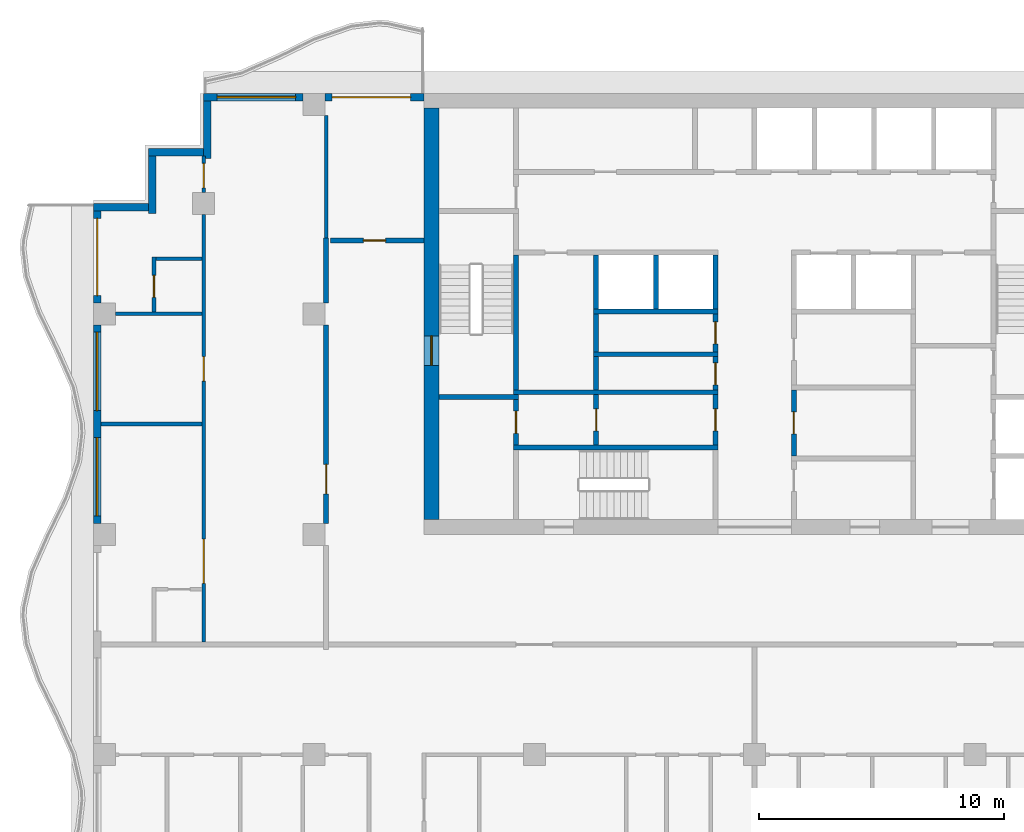
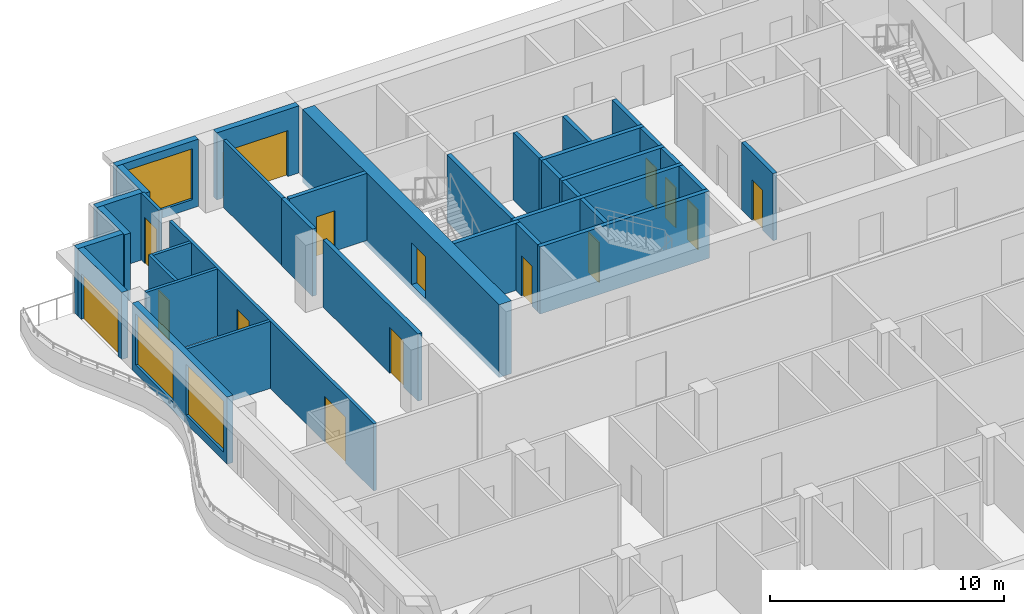
# One storey, part 5 of 11: 36 walls, 15 doors, 3 windows, 18 openings.
"""IFC4 building model written with IfcOpenShell, lengths in metres."""

import ifcopenshell
import ifcopenshell.guid

model = None  # the IFC model being written
_history = None  # IfcOwnerHistory: only IFC2X3 demands one
_inside = {}  # id of a spatial element -> (the spatial element, [elements in it])
_under = {}  # id of a project, library or spatial element -> (it, [spatial elements below it])
_declared = {}  # id of a project -> (the project, [libraries it declares])
_typed = {}  # id of a type object -> (the type object, [elements of that type])
_made_of = {}  # id of a material, layer set ... -> (it, [elements and type objects made of it])


def new_model(schema):
    """Start an empty IFC model of exactly this schema.

    Asked for "IFC4X3", IfcOpenShell would pick the latest addendum, in which some entities
    have other attributes; the version numbers below select the first issue.
    IFC2X3 requires an IfcOwnerHistory on every rooted entity: one is made here for all.
    """
    global model, _history
    if schema == "IFC4X3":
        model = ifcopenshell.file(schema_version=(4, 3, 0, 0))
    else:
        model = ifcopenshell.file(schema=schema)
    _inside.clear()
    _under.clear()
    _declared.clear()
    _typed.clear()
    _made_of.clear()
    _history = None
    if model.schema == "IFC2X3":
        org = make("IfcOrganization", Name="unknown")
        user = make(
            "IfcPersonAndOrganization",
            ThePerson=make("IfcPerson", FamilyName="unknown"),
            TheOrganization=org,
        )
        app = make(
            "IfcApplication",
            ApplicationDeveloper=org,
            Version="unknown",
            ApplicationFullName="unknown",
            ApplicationIdentifier="unknown",
        )
        _history = make(
            "IfcOwnerHistory",
            OwningUser=user,
            OwningApplication=app,
            ChangeAction="ADDED",
            CreationDate=0,
        )
    return model


def make(cls, **values):
    """One entity of the class cls with the attributes given. An attribute that is None is left unset."""
    return model.create_entity(
        cls, **{name: value for name, value in values.items() if value is not None}
    )


def rooted(cls, **values):
    """An entity with a GlobalId (a new one), such as an element, a storey or a relation."""
    return make(cls, GlobalId=ifcopenshell.guid.new(), OwnerHistory=_history, **values)


def si_unit(unit_type, name, prefix=None):
    """IfcSIUnit, for example si_unit("LENGTHUNIT", "METRE", prefix="MILLI")."""
    return make("IfcSIUnit", UnitType=unit_type, Prefix=prefix, Name=name)


def assignment(units):
    """IfcUnitAssignment: the units of a project."""
    return None if units is None else make("IfcUnitAssignment", Units=units)


def point(xyz):
    """IfcCartesianPoint."""
    return None if xyz is None else make("IfcCartesianPoint", Coordinates=xyz)


def direction(xyz):
    """IfcDirection."""
    return None if xyz is None else make("IfcDirection", DirectionRatios=xyz)


def frame(location, z_axis=None, x_axis=None):
    """IfcAxis2Placement3D, a coordinate frame: its origin and axes. An axis left out is left unset."""
    return make(
        "IfcAxis2Placement3D",
        Location=point(location),
        Axis=direction(z_axis),
        RefDirection=direction(x_axis),
    )


def frame_2d(location, x_axis=None):
    """IfcAxis2Placement2D, a coordinate frame in the plane: its origin and x axis."""
    return make(
        "IfcAxis2Placement2D", Location=point(location), RefDirection=direction(x_axis)
    )


def origin():
    """The frame at (0, 0, 0) with its axes left unset."""
    return frame((0.0, 0.0, 0.0))


def place(relative_to, where):
    """IfcLocalPlacement: puts the frame where relative to a parent placement (None: the world)."""
    return make(
        "IfcLocalPlacement", PlacementRelTo=relative_to, RelativePlacement=where
    )


def context(
    kind, dimensions, precision=None, world=None, true_north=None, identifier=None
):
    """IfcGeometricRepresentationContext, for example the 3D "Model" context."""
    return make(
        "IfcGeometricRepresentationContext",
        ContextIdentifier=identifier,
        ContextType=kind,
        CoordinateSpaceDimension=dimensions,
        Precision=precision,
        WorldCoordinateSystem=world,
        TrueNorth=true_north,
    )


def subcontext(parent, identifier, kind, view, scale=None):
    """IfcGeometricRepresentationSubContext, for example "Body" below "Model"."""
    return make(
        "IfcGeometricRepresentationSubContext",
        ContextIdentifier=identifier,
        ContextType=kind,
        ParentContext=parent,
        TargetScale=scale,
        TargetView=view,
    )


def project(units=None, contexts=None):
    """IfcProject with its units and contexts."""
    return rooted(
        "IfcProject",
        Name="project",
        RepresentationContexts=contexts,
        UnitsInContext=assignment(units),
    )


def spatial(cls, under=None, at=None, **own):
    """A site, building, storey or space (cls), placed at a placement, below another one or the project."""
    s = rooted(cls, ObjectPlacement=at, **own)
    if under is not None:
        _under.setdefault(under.id(), (under, []))[1].append(s)
    return s


def profile(cls, at=None, kind="AREA", **sizes):
    """A parametric profile (cls). Its sizes go by their IFC names, for example OverallWidth=200.0."""
    return make(cls, ProfileType=kind, Position=at, **sizes)


def rectangle(**sizes):
    """IfcRectangleProfileDef."""
    return profile("IfcRectangleProfileDef", **sizes)


def extrude(swept, where, along, depth):
    """IfcExtrudedAreaSolid: the profile swept, set in the frame where, extruded along a direction by depth."""
    return make(
        "IfcExtrudedAreaSolid",
        SweptArea=swept,
        Position=where,
        ExtrudedDirection=direction(along),
        Depth=depth,
    )


def shape(context_of_items, identifier, shape_type, items):
    """IfcShapeRepresentation: the items that make up one representation, for example the "Body"."""
    return make(
        "IfcShapeRepresentation",
        ContextOfItems=context_of_items,
        RepresentationIdentifier=identifier,
        RepresentationType=shape_type,
        Items=items,
    )


def material(Name=None, Category=None):
    """IfcMaterial."""
    return make("IfcMaterial", Name=Name, Category=Category)


def layer(
    of_material, thickness, ventilated=None, Name=None, Category=None, Priority=None
):
    """IfcMaterialLayer: one layer of a wall or slab, of a material (None: an air gap)."""
    return make(
        "IfcMaterialLayer",
        Material=of_material,
        LayerThickness=thickness,
        IsVentilated=ventilated,
        Name=Name,
        Category=Category,
        Priority=Priority,
    )


def layer_set(layers, Name=None):
    """IfcMaterialLayerSet."""
    return make("IfcMaterialLayerSet", MaterialLayers=layers, LayerSetName=Name)


def made_of(thing, what):
    """Note that an element or type object is made of a material, layer set ...; save() writes the relation."""
    if what is not None:
        _made_of.setdefault(what.id(), (what, []))[1].append(thing)
    return thing


def type_object(cls, material=None, **own):
    """A type object (cls), such as IfcWallType, which elements share."""
    return made_of(rooted(cls, **own), material)


def element(
    cls,
    number,
    at=None,
    inside=None,
    cuts=None,
    type_object=None,
    material=None,
    context=None,
    identifier="Body",
    shape_type=None,
    held_by="IfcProductDefinitionShape",
    body=None,
    shapes=None,
    **own,
):
    """One element of the class cls, such as IfcWall. Its Tag is "e" and its number.

    at: its placement. inside: the storey or other place that contains it. cuts: it is an
    opening in that element (IfcRelVoidsElement). A single representation is given by context,
    identifier, shape_type and body (its items); several are given by shapes. held_by: the class
    of the entity that holds the representations. save() writes the other relations.
    """
    e = rooted(cls, Tag="e%d" % number, ObjectPlacement=at, **own)
    if body is not None:
        shapes = [shape(context, identifier, shape_type, body)]
    if shapes is not None:
        e.Representation = make(held_by, Representations=shapes)
    if inside is not None:
        _inside.setdefault(inside.id(), (inside, []))[1].append(e)
    if cuts is not None:
        rooted(
            "IfcRelVoidsElement", RelatingBuildingElement=cuts, RelatedOpeningElement=e
        )
    if type_object is not None:
        _typed.setdefault(type_object.id(), (type_object, []))[1].append(e)
    return made_of(e, material)


def fill(opening, filler):
    """IfcRelFillsElement: the door or window that sits in an opening."""
    return rooted(
        "IfcRelFillsElement",
        RelatingOpeningElement=opening,
        RelatedBuildingElement=filler,
    )


def aggregate(whole, parts):
    """IfcRelAggregates: a whole, such as a stair, and the parts it consists of."""
    return rooted("IfcRelAggregates", RelatingObject=whole, RelatedObjects=parts)


def save(model, path):
    """Write the relations noted so far, then the file.

    IfcRelAggregates (storeys below a building ...), IfcRelContainedInSpatialStructure (elements
    in a storey), IfcRelDefinesByType, IfcRelAssociatesMaterial and IfcRelDeclares: one each for
    every whole, place, type object, material and project.
    """
    for whole, parts in _under.values():
        aggregate(whole, parts)
    for where, things in _inside.values():
        rooted(
            "IfcRelContainedInSpatialStructure",
            RelatedElements=things,
            RelatingStructure=where,
        )
    for kind, things in _typed.values():
        rooted("IfcRelDefinesByType", RelatedObjects=things, RelatingType=kind)
    for what, things in _made_of.values():
        rooted("IfcRelAssociatesMaterial", RelatedObjects=things, RelatingMaterial=what)
    for by, libraries in _declared.values():
        rooted("IfcRelDeclares", RelatingContext=by, RelatedDefinitions=libraries)
    model.write(path)


model = new_model("IFC4")

# Units and contexts
model_context = context("Model", 3, precision=1e-05, world=origin(), true_north=direction((0.0, 1.0)))
body_context = subcontext(model_context, "Body", "Model", "MODEL_VIEW")
ifc_project = project(units=[si_unit("LENGTHUNIT", "METRE"), si_unit("AREAUNIT", "SQUARE_METRE"), si_unit("VOLUMEUNIT", "CUBIC_METRE"), si_unit("PLANEANGLEUNIT", "RADIAN"), si_unit("MASSUNIT", "GRAM", prefix="KILO")], contexts=[model_context])

# Site, building, storey
site_placement = place(None, origin())
site = spatial("IfcSite", under=ifc_project, at=site_placement, CompositionType="ELEMENT")
building_placement = place(site_placement, origin())
building = spatial("IfcBuilding", under=site, at=building_placement, Name="Orbiselva Terraces", CompositionType="ELEMENT")
storey_placement = place(building_placement, frame((0.0, 0.0, 276.8)))
storey = spatial("IfcBuildingStorey", under=building, at=storey_placement, Name="L70", CompositionType="ELEMENT", Elevation=276.8)

# Wall, opening, door
ifc_material_1 = material(Name="Concrete C80/95", Category="concrete")
ifc_layer_1 = layer(ifc_material_1, 0.6)
ifc_layer_set_1 = layer_set([ifc_layer_1], Name="Concrete C80/95")
wall_type_1 = type_object("IfcWallType", Name="CORE WALL 600", PredefinedType="SHEAR", material=ifc_layer_set_1)
wall_1_placement = place(storey_placement, frame((-13.2, 21.9, -0.3), z_axis=(0.0, 0.0, 1.0), x_axis=(0.0, -1.0, 0.0)))
wall_1 = element("IfcWall", 1, at=wall_1_placement, inside=storey, type_object=wall_type_1, Name="Core wall L70 west", PredefinedType="SHEAR", context=body_context, shape_type="SweptSolid", body=[
    extrude(rectangle(XDim=16.8, YDim=0.6, at=frame_2d((8.4, 0.0))), origin(), (0.0, 0.0, 1.0), 3.8),
])
opening_1_placement = place(wall_1_placement, frame((9.3, 0.0, 0.3)))
opening_1 = element("IfcOpeningElement", 2, at=opening_1_placement, cuts=wall_1, Name="Opening DS1200", PredefinedType="OPENING", context=body_context, shape_type="SweptSolid", body=[
    extrude(rectangle(XDim=1.2, YDim=2.2, at=frame_2d((0.6, 1.1))), frame((0.0, 0.31, 0.0), z_axis=(0.0, -1.0, 0.0), x_axis=(1.0, 0.0, 0.0)), (0.0, 0.0, 1.0), 0.62),
])
ifc_material_2 = material(Name="Steel fire door", Category="steel")
door_type_1 = type_object("IfcDoorType", Name="STAIR DOOR 1200", OperationType="NOTDEFINED", PredefinedType="DOOR", material=ifc_material_2)
door_1_placement = place(opening_1_placement, frame((1.2, 0.0, 0.0), z_axis=(0.0, 0.0, 1.0), x_axis=(-1.0, 0.0, 0.0)))
door_1 = element("IfcDoor", 3, at=door_1_placement, inside=storey, type_object=door_type_1, Name="L70 EXIT STAIR S1 door", OperationType="SINGLE_SWING_RIGHT", OverallHeight=2.2, OverallWidth=1.2, PredefinedType="DOOR", context=body_context, shape_type="SweptSolid", body=[
    extrude(rectangle(XDim=1.2, YDim=2.2, at=frame_2d((0.6, 1.1))), frame((0.0, 0.025, 0.0), z_axis=(0.0, -1.0, 0.0), x_axis=(1.0, 0.0, 0.0)), (0.0, 0.0, 1.0), 0.05),
])
fill(opening_1, door_1)

ifc_material_3 = material(Name="Masonry blockwork", Category="masonry")
ifc_layer_2 = layer(ifc_material_3, 0.2)
ifc_layer_set_2 = layer_set([ifc_layer_2], Name="Masonry blockwork")
wall_type_2 = type_object("IfcWallType", Name="CORE-WALL-PARTITION-200", PredefinedType="PARTITIONING", material=ifc_layer_set_2)
wall_2_placement = place(storey_placement, frame((-9.75, 8.15, 0.0), z_axis=(0.0, 0.0, 1.0), x_axis=(0.0, 1.0, 0.0)))
wall_2 = element("IfcWall", 4, at=wall_2_placement, inside=storey, type_object=wall_type_2, Name="L70 core wall 05", PredefinedType="PARTITIONING", context=body_context, shape_type="SweptSolid", body=[
    extrude(rectangle(XDim=1.85, YDim=0.2, at=frame_2d((0.925, 0.0))), origin(), (0.0, 0.0, 1.0), 3.5),
])
opening_2_placement = place(wall_2_placement, frame((0.475, 0.0, 0.0)))
opening_2 = element("IfcOpeningElement", 5, at=opening_2_placement, cuts=wall_2, Name="Opening DR900", PredefinedType="OPENING", context=body_context, shape_type="SweptSolid", body=[
    extrude(rectangle(XDim=0.9, YDim=2.1, at=frame_2d((0.45, 1.05))), frame((0.0, 0.11, 0.0), z_axis=(0.0, -1.0, 0.0), x_axis=(1.0, 0.0, 0.0)), (0.0, 0.0, 1.0), 0.22),
])
door_type_2 = type_object("IfcDoorType", Name="ROOM DOOR 900", OperationType="NOTDEFINED", PredefinedType="DOOR", material=ifc_material_2)
door_2_placement = place(opening_2_placement, origin())
door_2 = element("IfcDoor", 6, at=door_2_placement, inside=storey, type_object=door_type_2, Name="L70 ACCESSIBLE WC door", OperationType="SINGLE_SWING_RIGHT", OverallHeight=2.1, OverallWidth=0.9, PredefinedType="DOOR", context=body_context, shape_type="SweptSolid", body=[
    extrude(rectangle(XDim=0.9, YDim=2.1, at=frame_2d((0.45, 1.05))), frame((0.0, 0.025, 0.0), z_axis=(0.0, -1.0, 0.0), x_axis=(1.0, 0.0, 0.0)), (0.0, 0.0, 1.0), 0.05),
])
fill(opening_2, door_2)

wall_3_placement = place(storey_placement, frame((-6.475, 8.15, 0.0), z_axis=(0.0, 0.0, 1.0), x_axis=(0.0, 1.0, 0.0)))
wall_3 = element("IfcWall", 7, at=wall_3_placement, inside=storey, type_object=wall_type_2, Name="L70 core wall 13", PredefinedType="PARTITIONING", context=body_context, shape_type="SweptSolid", body=[
    extrude(rectangle(XDim=2.05, YDim=0.2, at=frame_2d((1.025, 0.0))), origin(), (0.0, 0.0, 1.0), 3.5),
])
opening_3_placement = place(wall_3_placement, frame((0.575, 0.0, 0.0)))
opening_3 = element("IfcOpeningElement", 8, at=opening_3_placement, cuts=wall_3, Name="Opening DR900", PredefinedType="OPENING", context=body_context, shape_type="SweptSolid", body=[
    extrude(rectangle(XDim=0.9, YDim=2.1, at=frame_2d((0.45, 1.05))), frame((0.0, 0.11, 0.0), z_axis=(0.0, -1.0, 0.0), x_axis=(1.0, 0.0, 0.0)), (0.0, 0.0, 1.0), 0.22),
])
door_3_placement = place(opening_3_placement, origin())
door_3 = element("IfcDoor", 9, at=door_3_placement, inside=storey, type_object=door_type_2, Name="L70 CLEANERS STORE door", OperationType="SINGLE_SWING_RIGHT", OverallHeight=2.1, OverallWidth=0.9, PredefinedType="DOOR", context=body_context, shape_type="SweptSolid", body=[
    extrude(rectangle(XDim=0.9, YDim=2.1, at=frame_2d((0.45, 1.05))), frame((0.0, 0.025, 0.0), z_axis=(0.0, -1.0, 0.0), x_axis=(1.0, 0.0, 0.0)), (0.0, 0.0, 1.0), 0.05),
])
fill(opening_3, door_3)

# Walls
wall_4_placement = place(storey_placement, frame((-6.475, 10.4, 0.0), z_axis=(0.0, 0.0, 1.0), x_axis=(0.0, 1.0, 0.0)))
element("IfcWall", 10, at=wall_4_placement, inside=storey, type_object=wall_type_2, Name="L70 core wall 14", PredefinedType="PARTITIONING", context=body_context, shape_type="SweptSolid", body=[
    extrude(rectangle(XDim=1.35, YDim=0.2, at=frame_2d((0.675, 0.0))), origin(), (0.0, 0.0, 1.0), 3.5),
])
wall_5_placement = place(storey_placement, frame((-6.475, 11.95, 0.0), z_axis=(0.0, 0.0, 1.0), x_axis=(0.0, 1.0, 0.0)))
element("IfcWall", 11, at=wall_5_placement, inside=storey, type_object=wall_type_2, Name="L70 core wall 16", PredefinedType="PARTITIONING", context=body_context, shape_type="SweptSolid", body=[
    extrude(rectangle(XDim=1.55, YDim=0.2, at=frame_2d((0.775, 0.0))), origin(), (0.0, 0.0, 1.0), 3.5),
])

# Wall, opening, door
wall_6_placement = place(storey_placement, frame((-1.6, 8.15, 0.0), z_axis=(0.0, 0.0, 1.0), x_axis=(0.0, 1.0, 0.0)))
wall_6 = element("IfcWall", 12, at=wall_6_placement, inside=storey, type_object=wall_type_2, Name="L70 core wall 22", PredefinedType="PARTITIONING", context=body_context, shape_type="SweptSolid", body=[
    extrude(rectangle(XDim=2.05, YDim=0.2, at=frame_2d((1.025, 0.0))), origin(), (0.0, 0.0, 1.0), 3.5),
])
opening_4_placement = place(wall_6_placement, frame((0.575, 0.0, 0.0)))
opening_4 = element("IfcOpeningElement", 13, at=opening_4_placement, cuts=wall_6, Name="Opening DR900", PredefinedType="OPENING", context=body_context, shape_type="SweptSolid", body=[
    extrude(rectangle(XDim=0.9, YDim=2.1, at=frame_2d((0.45, 1.05))), frame((0.0, 0.11, 0.0), z_axis=(0.0, -1.0, 0.0), x_axis=(1.0, 0.0, 0.0)), (0.0, 0.0, 1.0), 0.22),
])
door_4_placement = place(opening_4_placement, origin())
door_4 = element("IfcDoor", 14, at=door_4_placement, inside=storey, type_object=door_type_2, Name="L70 COMMS ROOM door", OperationType="SINGLE_SWING_RIGHT", OverallHeight=2.1, OverallWidth=0.9, PredefinedType="DOOR", context=body_context, shape_type="SweptSolid", body=[
    extrude(rectangle(XDim=0.9, YDim=2.1, at=frame_2d((0.45, 1.05))), frame((0.0, 0.025, 0.0), z_axis=(0.0, -1.0, 0.0), x_axis=(1.0, 0.0, 0.0)), (0.0, 0.0, 1.0), 0.05),
])
fill(opening_4, door_4)

wall_7_placement = place(storey_placement, frame((-1.6, 10.4, 0.0), z_axis=(0.0, 0.0, 1.0), x_axis=(0.0, 1.0, 0.0)))
wall_7 = element("IfcWall", 15, at=wall_7_placement, inside=storey, type_object=wall_type_2, Name="L70 core wall 23", PredefinedType="PARTITIONING", context=body_context, shape_type="SweptSolid", body=[
    extrude(rectangle(XDim=1.35, YDim=0.2, at=frame_2d((0.675, 0.0))), origin(), (0.0, 0.0, 1.0), 3.5),
])
opening_5_placement = place(wall_7_placement, frame((0.2, 0.0, 0.0)))
opening_5 = element("IfcOpeningElement", 16, at=opening_5_placement, cuts=wall_7, Name="Opening DR900", PredefinedType="OPENING", context=body_context, shape_type="SweptSolid", body=[
    extrude(rectangle(XDim=0.9, YDim=2.1, at=frame_2d((0.45, 1.05))), frame((0.0, 0.11, 0.0), z_axis=(0.0, -1.0, 0.0), x_axis=(1.0, 0.0, 0.0)), (0.0, 0.0, 1.0), 0.22),
])
door_5_placement = place(opening_5_placement, origin())
door_5 = element("IfcDoor", 17, at=door_5_placement, inside=storey, type_object=door_type_2, Name="L70 BUILDING STORE door", OperationType="SINGLE_SWING_LEFT", OverallHeight=2.1, OverallWidth=0.9, PredefinedType="DOOR", context=body_context, shape_type="SweptSolid", body=[
    extrude(rectangle(XDim=0.9, YDim=2.1, at=frame_2d((0.45, 1.05))), frame((0.0, 0.025, 0.0), z_axis=(0.0, -1.0, 0.0), x_axis=(1.0, 0.0, 0.0)), (0.0, 0.0, 1.0), 0.05),
])
fill(opening_5, door_5)

wall_8_placement = place(storey_placement, frame((-1.6, 11.95, 0.0), z_axis=(0.0, 0.0, 1.0), x_axis=(0.0, 1.0, 0.0)))
wall_8 = element("IfcWall", 18, at=wall_8_placement, inside=storey, type_object=wall_type_2, Name="L70 core wall 24", PredefinedType="PARTITIONING", context=body_context, shape_type="SweptSolid", body=[
    extrude(rectangle(XDim=1.55, YDim=0.2, at=frame_2d((0.775, 0.0))), origin(), (0.0, 0.0, 1.0), 3.5),
])
opening_6_placement = place(wall_8_placement, frame((0.325, 0.0, 0.0)))
opening_6 = element("IfcOpeningElement", 19, at=opening_6_placement, cuts=wall_8, Name="Opening DR900", PredefinedType="OPENING", context=body_context, shape_type="SweptSolid", body=[
    extrude(rectangle(XDim=0.9, YDim=2.1, at=frame_2d((0.45, 1.05))), frame((0.0, 0.11, 0.0), z_axis=(0.0, -1.0, 0.0), x_axis=(1.0, 0.0, 0.0)), (0.0, 0.0, 1.0), 0.22),
])
door_6_placement = place(opening_6_placement, origin())
door_6 = element("IfcDoor", 20, at=door_6_placement, inside=storey, type_object=door_type_2, Name="L70 LINEN STORE door", OperationType="SINGLE_SWING_LEFT", OverallHeight=2.1, OverallWidth=0.9, PredefinedType="DOOR", context=body_context, shape_type="SweptSolid", body=[
    extrude(rectangle(XDim=0.9, YDim=2.1, at=frame_2d((0.45, 1.05))), frame((0.0, 0.025, 0.0), z_axis=(0.0, -1.0, 0.0), x_axis=(1.0, 0.0, 0.0)), (0.0, 0.0, 1.0), 0.05),
])
fill(opening_6, door_6)

wall_9_placement = place(storey_placement, frame((1.6, 10.4, 0.0), z_axis=(0.0, 0.0, 1.0), x_axis=(0.0, -1.0, 0.0)))
wall_9 = element("IfcWall", 21, at=wall_9_placement, inside=storey, type_object=wall_type_2, Name="L70 core wall 29", PredefinedType="PARTITIONING", context=body_context, shape_type="SweptSolid", body=[
    extrude(rectangle(XDim=2.7, YDim=0.2, at=frame_2d((1.35, 0.0))), origin(), (0.0, 0.0, 1.0), 3.5),
])
opening_7_placement = place(wall_9_placement, frame((0.9, 0.0, 0.0)))
opening_7 = element("IfcOpeningElement", 22, at=opening_7_placement, cuts=wall_9, Name="Opening DR900", PredefinedType="OPENING", context=body_context, shape_type="SweptSolid", body=[
    extrude(rectangle(XDim=0.9, YDim=2.1, at=frame_2d((0.45, 1.05))), frame((0.0, 0.11, 0.0), z_axis=(0.0, -1.0, 0.0), x_axis=(1.0, 0.0, 0.0)), (0.0, 0.0, 1.0), 0.22),
])
door_7_placement = place(opening_7_placement, origin())
door_7 = element("IfcDoor", 23, at=door_7_placement, inside=storey, type_object=door_type_2, Name="L70 SERVICE PANTRY door", OperationType="SINGLE_SWING_LEFT", OverallHeight=2.1, OverallWidth=0.9, PredefinedType="DOOR", context=body_context, shape_type="SweptSolid", body=[
    extrude(rectangle(XDim=0.9, YDim=2.1, at=frame_2d((0.45, 1.05))), frame((0.0, 0.025, 0.0), z_axis=(0.0, -1.0, 0.0), x_axis=(1.0, 0.0, 0.0)), (0.0, 0.0, 1.0), 0.05),
])
fill(opening_7, door_7)

# Walls
ifc_material_4 = material(Name="Concrete C40/50", Category="concrete")
ifc_layer_3 = layer(ifc_material_4, 0.2)
ifc_layer_set_3 = layer_set([ifc_layer_3], Name="Concrete C40/50")
wall_type_3 = type_object("IfcWallType", Name="CORE-WALL-SHAFT-200", PredefinedType="PARTITIONING", material=ifc_layer_set_3)
for number, where, z_axis, x_axis, name in (
    (24, (-6.475, 13.7, 0.0), (0.0, 0.0, 1.0), (0.0, 1.0, 0.0), "L70 core wall 18"),
    (25, (-4.0375, 13.7, 0.0), (0.0, 0.0, 1.0), (0.0, 1.0, 0.0), "L70 core wall 19"),
    (26, (-1.6, 13.7, 0.0), (0.0, 0.0, 1.0), (0.0, 1.0, 0.0), "L70 core wall 25"),
):
    element("IfcWall", number, at=place(storey_placement, frame(where, z_axis=z_axis, x_axis=x_axis)), inside=storey, type_object=wall_type_3, Name=name, PredefinedType="PARTITIONING", context=body_context, shape_type="SweptSolid", body=[
        extrude(rectangle(XDim=2.2, YDim=0.2, at=frame_2d((1.1, 0.0))), origin(), (0.0, 0.0, 1.0), 3.5),
    ])
ifc_material_5 = material(Name="Concrete C60/75", Category="concrete")
ifc_layer_4 = layer(ifc_material_5, 0.2)
ifc_layer_set_4 = layer_set([ifc_layer_4], Name="Concrete C60/75")
wall_type_4 = type_object("IfcWallType", Name="CORE-WALL-SHEAR-200", PredefinedType="SHEAR", material=ifc_layer_set_4)
wall_10_placement = place(storey_placement, frame((-12.9, 10.1, 0.0), z_axis=(0.0, 0.0, 1.0), x_axis=(1.0, 0.0, 0.0)))
element("IfcWall", 27, at=wall_10_placement, inside=storey, type_object=wall_type_4, Name="L70 core wall 01", PredefinedType="SHEAR", context=body_context, shape_type="SweptSolid", body=[
    extrude(rectangle(XDim=3.25, YDim=0.2, at=frame_2d((1.625, 0.0))), origin(), (0.0, 0.0, 1.0), 3.5),
])
for number, where, z_axis, x_axis, name in (
    (28, (-9.85, 8.05, 0.0), (0.0, 0.0, 1.0), (1.0, 0.0, 0.0), "L70 core wall 04"),
    (29, (-9.85, 10.3, 0.0), (0.0, 0.0, 1.0), (1.0, 0.0, 0.0), "L70 core wall 06"),
):
    element("IfcWall", number, at=place(storey_placement, frame(where, z_axis=z_axis, x_axis=x_axis)), inside=storey, type_object=wall_type_4, Name=name, PredefinedType="SHEAR", context=body_context, shape_type="SweptSolid", body=[
        extrude(rectangle(XDim=8.35, YDim=0.2, at=frame_2d((4.175, 0.0))), origin(), (0.0, 0.0, 1.0), 3.5),
    ])
wall_11_placement = place(storey_placement, frame((-9.75, 10.4, 0.0), z_axis=(0.0, 0.0, 1.0), x_axis=(0.0, 1.0, 0.0)))
element("IfcWall", 30, at=wall_11_placement, inside=storey, type_object=wall_type_4, Name="L70 core wall 07", PredefinedType="SHEAR", context=body_context, shape_type="SweptSolid", body=[
    extrude(rectangle(XDim=5.5, YDim=0.2, at=frame_2d((2.75, 0.0))), origin(), (0.0, 0.0, 1.0), 3.5),
])
for number, where, z_axis, x_axis, name in (
    (31, (-6.575, 11.85, 0.0), (0.0, 0.0, 1.0), (1.0, 0.0, 0.0), "L70 core wall 15"),
    (32, (-6.575, 13.6, 0.0), (0.0, 0.0, 1.0), (1.0, 0.0, 0.0), "L70 core wall 17"),
):
    element("IfcWall", number, at=place(storey_placement, frame(where, z_axis=z_axis, x_axis=x_axis)), inside=storey, type_object=wall_type_4, Name=name, PredefinedType="SHEAR", context=body_context, shape_type="SweptSolid", body=[
        extrude(rectangle(XDim=5.075, YDim=0.2, at=frame_2d((2.5375, 0.0))), origin(), (0.0, 0.0, 1.0), 3.5),
    ])

# Wall, opening, door
ifc_material_6 = material(Name="Terracotta cladding on masonry backing", Category="masonry")
ifc_layer_5 = layer(ifc_material_6, 0.3)
ifc_layer_set_5 = layer_set([ifc_layer_5], Name="Terracotta cladding on masonry backing")
wall_type_5 = type_object("IfcWallType", Name="ENV-WALL-TERRACOTTA-300", PredefinedType="SOLIDWALL", material=ifc_layer_set_5)
wall_12_placement = place(storey_placement, frame((-17.55, 22.35, 0.0), z_axis=(0.0, 0.0, 1.0), x_axis=(1.0, 0.0, 0.0)))
wall_12 = element("IfcWall", 33, at=wall_12_placement, inside=storey, type_object=wall_type_5, Name="Facade wall L70 NW", PredefinedType="SOLIDWALL", context=body_context, shape_type="SweptSolid", body=[
    extrude(rectangle(XDim=4.05, YDim=0.3, at=frame_2d((2.025, 0.0))), origin(), (0.0, 0.0, 1.0), 3.5),
])
opening_8_placement = place(wall_12_placement, frame((0.3, 0.0, 0.0)))
opening_8 = element("IfcOpeningElement", 34, at=opening_8_placement, cuts=wall_12, Name="Opening Z5-D-E08", PredefinedType="OPENING", context=body_context, shape_type="SweptSolid", body=[
    extrude(rectangle(XDim=3.2, YDim=2.4, at=frame_2d((1.6, 1.2))), frame((0.0, 0.16, 0.0), z_axis=(0.0, -1.0, 0.0), x_axis=(1.0, 0.0, 0.0)), (0.0, 0.0, 1.0), 0.32),
])
ifc_material_7 = material(Name="Clear low-e glazing in aluminium frame", Category="aluminium")
door_type_3 = type_object("IfcDoorType", Name="BALCONY DOOR 3200 X 2400", OperationType="DOUBLE_DOOR_SLIDING", PredefinedType="DOOR", material=ifc_material_7)
door_8_placement = place(opening_8_placement, origin())
door_8 = element("IfcDoor", 35, at=door_8_placement, inside=storey, type_object=door_type_3, Name="Z5-D-E08", OperationType="SINGLE_SWING_LEFT", OverallHeight=2.4, OverallWidth=3.2, PredefinedType="DOOR", context=body_context, shape_type="SweptSolid", body=[
    extrude(rectangle(XDim=3.2, YDim=2.4, at=frame_2d((1.6, 1.2))), frame((0.0, 0.025, 0.0), z_axis=(0.0, -1.0, 0.0), x_axis=(1.0, 0.0, 0.0)), (0.0, 0.0, 1.0), 0.05),
])
fill(opening_8, door_8)

# Wall, opening, window
wall_13_placement = place(storey_placement, frame((-22.5, 22.35, 0.0), z_axis=(0.0, 0.0, 1.0), x_axis=(1.0, 0.0, 0.0)))
wall_13 = element("IfcWall", 36, at=wall_13_placement, inside=storey, type_object=wall_type_5, Name="Facade wall L70 NW", PredefinedType="SOLIDWALL", context=body_context, shape_type="SweptSolid", body=[
    extrude(rectangle(XDim=4.05, YDim=0.3, at=frame_2d((2.025, 0.0))), origin(), (0.0, 0.0, 1.0), 3.5),
])
opening_9_placement = place(wall_13_placement, frame((0.55, 0.0, 0.45)))
opening_9 = element("IfcOpeningElement", 37, at=opening_9_placement, cuts=wall_13, Name="Opening WN17", PredefinedType="OPENING", context=body_context, shape_type="SweptSolid", body=[
    extrude(rectangle(XDim=3.2, YDim=2.65, at=frame_2d((1.6, 1.325))), frame((0.0, 0.16, 0.0), z_axis=(0.0, -1.0, 0.0), x_axis=(1.0, 0.0, 0.0)), (0.0, 0.0, 1.0), 0.32),
])
window_type = type_object("IfcWindowType", Name="WINDOW 3200 X 2650 S450", PartitioningType="TRIPLE_PANEL_VERTICAL", PredefinedType="WINDOW", material=ifc_material_7)
window_1_placement = place(opening_9_placement, origin())
window_1 = element("IfcWindow", 38, at=window_1_placement, inside=storey, type_object=window_type, Name="Window L70 NW", OverallHeight=2.65, OverallWidth=3.2, PartitioningType="SINGLE_PANEL", PredefinedType="WINDOW", context=body_context, shape_type="SweptSolid", body=[
    extrude(rectangle(XDim=3.2, YDim=2.65, at=frame_2d((1.6, 1.325))), frame((0.0, 0.03, 0.0), z_axis=(0.0, -1.0, 0.0), x_axis=(1.0, 0.0, 0.0)), (0.0, 0.0, 1.0), 0.06),
])
fill(opening_9, window_1)

# Walls
wall_14_placement = place(storey_placement, frame((-22.35, 19.85, 0.0), z_axis=(0.0, 0.0, 1.0), x_axis=(0.0, 1.0, 0.0)))
element("IfcWall", 39, at=wall_14_placement, inside=storey, type_object=wall_type_5, Name="Facade wall L70 STEP", PredefinedType="SOLIDWALL", context=body_context, shape_type="SweptSolid", body=[
    extrude(rectangle(XDim=2.35, YDim=0.3, at=frame_2d((1.175, 0.0))), origin(), (0.0, 0.0, 1.0), 3.5),
])
wall_15_placement = place(storey_placement, frame((-24.75, 20.1, 0.0), z_axis=(0.0, 0.0, 1.0), x_axis=(1.0, 0.0, 0.0)))
element("IfcWall", 40, at=wall_15_placement, inside=storey, type_object=wall_type_5, Name="Facade wall L70 STEP", PredefinedType="SOLIDWALL", context=body_context, shape_type="SweptSolid", body=[
    extrude(rectangle(XDim=2.25, YDim=0.3, at=frame_2d((1.125, 0.0))), origin(), (0.0, 0.0, 1.0), 3.5),
])
wall_16_placement = place(storey_placement, frame((-24.6, 17.6, 0.0), z_axis=(0.0, 0.0, 1.0), x_axis=(0.0, 1.0, 0.0)))
element("IfcWall", 41, at=wall_16_placement, inside=storey, type_object=wall_type_5, Name="Facade wall L70 STEP", PredefinedType="SOLIDWALL", context=body_context, shape_type="SweptSolid", body=[
    extrude(rectangle(XDim=2.35, YDim=0.3, at=frame_2d((1.175, 0.0))), origin(), (0.0, 0.0, 1.0), 3.5),
])
wall_17_placement = place(storey_placement, frame((-27.0, 17.85, 0.0), z_axis=(0.0, 0.0, 1.0), x_axis=(1.0, 0.0, 0.0)))
element("IfcWall", 42, at=wall_17_placement, inside=storey, type_object=wall_type_5, Name="Facade wall L70 STEP", PredefinedType="SOLIDWALL", context=body_context, shape_type="SweptSolid", body=[
    extrude(rectangle(XDim=2.25, YDim=0.3, at=frame_2d((1.125, 0.0))), origin(), (0.0, 0.0, 1.0), 3.5),
])

# Wall, opening, door
wall_18_placement = place(storey_placement, frame((-26.85, 13.95, 0.0), z_axis=(0.0, 0.0, 1.0), x_axis=(0.0, 1.0, 0.0)))
wall_18 = element("IfcWall", 43, at=wall_18_placement, inside=storey, type_object=wall_type_5, Name="Facade wall L70 W", PredefinedType="SOLIDWALL", context=body_context, shape_type="SweptSolid", body=[
    extrude(rectangle(XDim=3.75, YDim=0.3, at=frame_2d((1.875, 0.0))), origin(), (0.0, 0.0, 1.0), 3.5),
])
opening_10_placement = place(wall_18_placement, frame((0.3, 0.0, 0.0)))
opening_10 = element("IfcOpeningElement", 44, at=opening_10_placement, cuts=wall_18, Name="Opening Z5-D-E09", PredefinedType="OPENING", context=body_context, shape_type="SweptSolid", body=[
    extrude(rectangle(XDim=3.15, YDim=2.4, at=frame_2d((1.575, 1.2))), frame((0.0, 0.16, 0.0), z_axis=(0.0, -1.0, 0.0), x_axis=(1.0, 0.0, 0.0)), (0.0, 0.0, 1.0), 0.32),
])
door_type_4 = type_object("IfcDoorType", Name="BALCONY DOOR 3150 X 2400", OperationType="DOUBLE_DOOR_SLIDING", PredefinedType="DOOR", material=ifc_material_7)
door_9_placement = place(opening_10_placement, origin())
door_9 = element("IfcDoor", 45, at=door_9_placement, inside=storey, type_object=door_type_4, Name="Z5-D-E09", OperationType="SINGLE_SWING_LEFT", OverallHeight=2.4, OverallWidth=3.15, PredefinedType="DOOR", context=body_context, shape_type="SweptSolid", body=[
    extrude(rectangle(XDim=3.15, YDim=2.4, at=frame_2d((1.575, 1.2))), frame((0.0, 0.025, 0.0), z_axis=(0.0, -1.0, 0.0), x_axis=(1.0, 0.0, 0.0)), (0.0, 0.0, 1.0), 0.05),
])
fill(opening_10, door_9)

# Wall, openings, windows
wall_19_placement = place(storey_placement, frame((-26.85, 4.95, 0.0), z_axis=(0.0, 0.0, 1.0), x_axis=(0.0, 1.0, 0.0)))
wall_19 = element("IfcWall", 46, at=wall_19_placement, inside=storey, type_object=wall_type_5, Name="Facade wall L70 W", PredefinedType="SOLIDWALL", context=body_context, shape_type="SweptSolid", body=[
    extrude(rectangle(XDim=8.1, YDim=0.3, at=frame_2d((4.05, 0.0))), origin(), (0.0, 0.0, 1.0), 3.5),
])
opening_11_placement = place(wall_19_placement, frame((4.6, 0.0, 0.45)))
opening_11 = element("IfcOpeningElement", 47, at=opening_11_placement, cuts=wall_19, Name="Opening WN17", PredefinedType="OPENING", context=body_context, shape_type="SweptSolid", body=[
    extrude(rectangle(XDim=3.2, YDim=2.65, at=frame_2d((1.6, 1.325))), frame((0.0, 0.16, 0.0), z_axis=(0.0, -1.0, 0.0), x_axis=(1.0, 0.0, 0.0)), (0.0, 0.0, 1.0), 0.32),
])
opening_12_placement = place(wall_19_placement, frame((0.3, 0.0, 0.45)))
opening_12 = element("IfcOpeningElement", 48, at=opening_12_placement, cuts=wall_19, Name="Opening WN17", PredefinedType="OPENING", context=body_context, shape_type="SweptSolid", body=[
    extrude(rectangle(XDim=3.2, YDim=2.65, at=frame_2d((1.6, 1.325))), frame((0.0, 0.16, 0.0), z_axis=(0.0, -1.0, 0.0), x_axis=(1.0, 0.0, 0.0)), (0.0, 0.0, 1.0), 0.32),
])
window_2_placement = place(opening_11_placement, origin())
window_2 = element("IfcWindow", 49, at=window_2_placement, inside=storey, type_object=window_type, Name="Window L70 W", OverallHeight=2.65, OverallWidth=3.2, PartitioningType="SINGLE_PANEL", PredefinedType="WINDOW", context=body_context, shape_type="SweptSolid", body=[
    extrude(rectangle(XDim=3.2, YDim=2.65, at=frame_2d((1.6, 1.325))), frame((0.0, 0.03, 0.0), z_axis=(0.0, -1.0, 0.0), x_axis=(1.0, 0.0, 0.0)), (0.0, 0.0, 1.0), 0.06),
])
fill(opening_11, window_2)
window_3_placement = place(opening_12_placement, origin())
window_3 = element("IfcWindow", 50, at=window_3_placement, inside=storey, type_object=window_type, Name="Window L70 W", OverallHeight=2.65, OverallWidth=3.2, PartitioningType="SINGLE_PANEL", PredefinedType="WINDOW", context=body_context, shape_type="SweptSolid", body=[
    extrude(rectangle(XDim=3.2, YDim=2.65, at=frame_2d((1.6, 1.325))), frame((0.0, 0.03, 0.0), z_axis=(0.0, -1.0, 0.0), x_axis=(1.0, 0.0, 0.0)), (0.0, 0.0, 1.0), 0.06),
])
fill(opening_12, window_3)

# Wall, opening, door
ifc_material_8 = material(Name="Plasterboard on steel stud partition", Category="steel")
ifc_layer_6 = layer(ifc_material_8, 0.2)
ifc_layer_set_6 = layer_set([ifc_layer_6], Name="Plasterboard on steel stud partition")
wall_type_6 = type_object("IfcWallType", Name="UNIT-ENTRANCE-WALL-200", PredefinedType="PARTITIONING", material=ifc_layer_set_6)
wall_20_placement = place(storey_placement, frame((-17.325, 16.5, 0.0), z_axis=(0.0, 0.0, 1.0), x_axis=(1.0, 0.0, 0.0)))
wall_20 = element("IfcWall", 51, at=wall_20_placement, inside=storey, type_object=wall_type_6, Name="PARTITION L70-039", PredefinedType="PARTITIONING", context=body_context, shape_type="SweptSolid", body=[
    extrude(rectangle(XDim=3.825, YDim=0.2, at=frame_2d((1.9125, 0.0))), origin(), (0.0, 0.0, 1.0), 3.5),
])
opening_13_placement = place(wall_20_placement, frame((1.35, 0.0, 0.0)))
opening_13 = element("IfcOpeningElement", 52, at=opening_13_placement, cuts=wall_20, Name="Opening Z5-D-01", PredefinedType="OPENING", context=body_context, shape_type="SweptSolid", body=[
    extrude(rectangle(XDim=0.9, YDim=2.1, at=frame_2d((0.45, 1.05))), frame((0.0, 0.11, 0.0), z_axis=(0.0, -1.0, 0.0), x_axis=(1.0, 0.0, 0.0)), (0.0, 0.0, 1.0), 0.22),
])
ifc_material_9 = material(Name="Painted timber door leaf", Category="wood")
door_type_5 = type_object("IfcDoorType", Name="SERVICE DOOR 900", OperationType="NOTDEFINED", PredefinedType="DOOR", material=ifc_material_9)
door_10_placement = place(opening_13_placement, origin())
door_10 = element("IfcDoor", 53, at=door_10_placement, inside=storey, type_object=door_type_5, Name="Z5-D-01", OperationType="SINGLE_SWING_LEFT", OverallHeight=2.1, OverallWidth=0.9, PredefinedType="DOOR", context=body_context, shape_type="SweptSolid", body=[
    extrude(rectangle(XDim=0.9, YDim=2.1, at=frame_2d((0.45, 1.05))), frame((0.0, 0.025, 0.0), z_axis=(0.0, -1.0, 0.0), x_axis=(1.0, 0.0, 0.0)), (0.0, 0.0, 1.0), 0.05),
])
fill(opening_13, door_10)

wall_21_placement = place(storey_placement, frame((-17.5, 4.95, 0.0), z_axis=(0.0, 0.0, 1.0), x_axis=(0.0, 1.0, 0.0)))
wall_21 = element("IfcWall", 54, at=wall_21_placement, inside=storey, type_object=wall_type_6, Name="PARTITION L70-051", PredefinedType="PARTITIONING", context=body_context, shape_type="SweptSolid", body=[
    extrude(rectangle(XDim=8.1, YDim=0.2, at=frame_2d((4.05, 0.0))), origin(), (0.0, 0.0, 1.0), 3.5),
])
opening_14_placement = place(wall_21_placement, frame((1.2, 0.0, 0.0)))
opening_14 = element("IfcOpeningElement", 55, at=opening_14_placement, cuts=wall_21, Name="Opening Z5-D-03", PredefinedType="OPENING", context=body_context, shape_type="SweptSolid", body=[
    extrude(rectangle(XDim=1.2, YDim=2.4, at=frame_2d((0.6, 1.2))), frame((0.0, 0.11, 0.0), z_axis=(0.0, -1.0, 0.0), x_axis=(1.0, 0.0, 0.0)), (0.0, 0.0, 1.0), 0.22),
])
door_type_6 = type_object("IfcDoorType", Name="ENTRANCE DOOR 1200", OperationType="NOTDEFINED", PredefinedType="DOOR", material=ifc_material_9)
door_11_placement = place(opening_14_placement, origin())
door_11 = element("IfcDoor", 56, at=door_11_placement, inside=storey, type_object=door_type_6, Name="Z5-D-03", OperationType="SINGLE_SWING_LEFT", OverallHeight=2.4, OverallWidth=1.2, PredefinedType="DOOR", context=body_context, shape_type="SweptSolid", body=[
    extrude(rectangle(XDim=1.2, YDim=2.4, at=frame_2d((0.6, 1.2))), frame((0.0, 0.025, 0.0), z_axis=(0.0, -1.0, 0.0), x_axis=(1.0, 0.0, 0.0)), (0.0, 0.0, 1.0), 0.05),
])
fill(opening_14, door_11)

# Walls
wall_22_placement = place(storey_placement, frame((-17.5, 13.95, 0.0), z_axis=(0.0, 0.0, 1.0), x_axis=(0.0, 1.0, 0.0)))
element("IfcWall", 57, at=wall_22_placement, inside=storey, type_object=wall_type_6, Name="PARTITION L70-052", PredefinedType="PARTITIONING", context=body_context, shape_type="SweptSolid", body=[
    extrude(rectangle(XDim=2.65, YDim=0.2, at=frame_2d((1.325, 0.0))), origin(), (0.0, 0.0, 1.0), 3.5),
])
ifc_layer_7 = layer(ifc_material_8, 0.15)
ifc_layer_set_7 = layer_set([ifc_layer_7], Name="Plasterboard on steel stud partition")
wall_type_7 = type_object("IfcWallType", Name="UNIT-PARTITION-150", PredefinedType="PARTITIONING", material=ifc_layer_set_7)
wall_23_placement = place(storey_placement, frame((-26.7, 9.0, 0.0), z_axis=(0.0, 0.0, 1.0), x_axis=(1.0, 0.0, 0.0)))
element("IfcWall", 58, at=wall_23_placement, inside=storey, type_object=wall_type_7, Name="PARTITION L70-032", PredefinedType="PARTITIONING", context=body_context, shape_type="SweptSolid", body=[
    extrude(rectangle(XDim=4.125, YDim=0.15, at=frame_2d((2.0625, 0.0))), origin(), (0.0, 0.0, 1.0), 3.5),
])
wall_24_placement = place(storey_placement, frame((-26.1, 13.5, 0.0), z_axis=(0.0, 0.0, 1.0), x_axis=(1.0, 0.0, 0.0)))
element("IfcWall", 59, at=wall_24_placement, inside=storey, type_object=wall_type_7, Name="PARTITION L70-034", PredefinedType="PARTITIONING", context=body_context, shape_type="SweptSolid", body=[
    extrude(rectangle(XDim=3.525, YDim=0.15, at=frame_2d((1.7625, 0.0))), origin(), (0.0, 0.0, 1.0), 3.5),
])
wall_25_placement = place(storey_placement, frame((-24.45, 15.75, 0.0), z_axis=(0.0, 0.0, 1.0), x_axis=(1.0, 0.0, 0.0)))
element("IfcWall", 60, at=wall_25_placement, inside=storey, type_object=wall_type_7, Name="PARTITION L70-037", PredefinedType="PARTITIONING", context=body_context, shape_type="SweptSolid", body=[
    extrude(rectangle(XDim=1.875, YDim=0.15, at=frame_2d((0.9375, 0.0))), origin(), (0.0, 0.0, 1.0), 3.5),
])

# Wall, opening, door
wall_26_placement = place(storey_placement, frame((-24.525, 15.825, 0.0), z_axis=(0.0, 0.0, 1.0), x_axis=(0.0, -1.0, 0.0)))
wall_26 = element("IfcWall", 61, at=wall_26_placement, inside=storey, type_object=wall_type_7, Name="PARTITION L70-042", PredefinedType="PARTITIONING", context=body_context, shape_type="SweptSolid", body=[
    extrude(rectangle(XDim=2.25, YDim=0.15, at=frame_2d((1.125, 0.0))), origin(), (0.0, 0.0, 1.0), 3.5),
])
opening_15_placement = place(wall_26_placement, frame((0.75, 0.0, 0.0)))
opening_15 = element("IfcOpeningElement", 62, at=opening_15_placement, cuts=wall_26, Name="Opening Z5-D-08", PredefinedType="OPENING", context=body_context, shape_type="SweptSolid", body=[
    extrude(rectangle(XDim=0.9, YDim=2.1, at=frame_2d((0.45, 1.05))), frame((0.0, 0.085, 0.0), z_axis=(0.0, -1.0, 0.0), x_axis=(1.0, 0.0, 0.0)), (0.0, 0.0, 1.0), 0.17),
])
door_type_7 = type_object("IfcDoorType", Name="BATH DOOR 900", OperationType="NOTDEFINED", PredefinedType="DOOR", material=ifc_material_9)
door_12_placement = place(opening_15_placement, origin())
door_12 = element("IfcDoor", 63, at=door_12_placement, inside=storey, type_object=door_type_7, Name="Z5-D-08", OperationType="SINGLE_SWING_RIGHT", OverallHeight=2.1, OverallWidth=0.9, PredefinedType="DOOR", context=body_context, shape_type="SweptSolid", body=[
    extrude(rectangle(XDim=0.9, YDim=2.1, at=frame_2d((0.45, 1.05))), frame((0.0, 0.025, 0.0), z_axis=(0.0, -1.0, 0.0), x_axis=(1.0, 0.0, 0.0)), (0.0, 0.0, 1.0), 0.05),
])
fill(opening_15, door_12)

# Wall, openings, doors
wall_27_placement = place(storey_placement, frame((-22.5, 0.1, 0.0), z_axis=(0.0, 0.0, 1.0), x_axis=(0.0, 1.0, 0.0)))
wall_27 = element("IfcWall", 64, at=wall_27_placement, inside=storey, type_object=wall_type_7, Name="PARTITION L70-044", PredefinedType="PARTITIONING", context=body_context, shape_type="SweptSolid", body=[
    extrude(rectangle(XDim=17.45, YDim=0.15, at=frame_2d((8.725, 0.0))), origin(), (0.0, 0.0, 1.0), 3.5),
])
opening_16_placement = place(wall_27_placement, frame((2.4, 0.0, 0.0)))
opening_16 = element("IfcOpeningElement", 65, at=opening_16_placement, cuts=wall_27, Name="Opening Z5-D-04", PredefinedType="OPENING", context=body_context, shape_type="SweptSolid", body=[
    extrude(rectangle(XDim=1.8, YDim=2.4, at=frame_2d((0.9, 1.2))), frame((0.0, 0.085, 0.0), z_axis=(0.0, -1.0, 0.0), x_axis=(1.0, 0.0, 0.0)), (0.0, 0.0, 1.0), 0.17),
])
opening_17_placement = place(wall_27_placement, frame((10.65, 0.0, 0.0)))
opening_17 = element("IfcOpeningElement", 66, at=opening_17_placement, cuts=wall_27, Name="Opening Z5-D-06", PredefinedType="OPENING", context=body_context, shape_type="SweptSolid", body=[
    extrude(rectangle(XDim=1.0, YDim=2.4, at=frame_2d((0.5, 1.2))), frame((0.0, 0.085, 0.0), z_axis=(0.0, -1.0, 0.0), x_axis=(1.0, 0.0, 0.0)), (0.0, 0.0, 1.0), 0.17),
])
door_type_8 = type_object("IfcDoorType", Name="DOUBLE DOOR 1800", OperationType="NOTDEFINED", PredefinedType="DOOR", material=ifc_material_9)
door_13_placement = place(opening_16_placement, origin())
door_13 = element("IfcDoor", 67, at=door_13_placement, inside=storey, type_object=door_type_8, Name="Z5-D-04", OperationType="DOUBLE_DOOR_SINGLE_SWING", OverallHeight=2.4, OverallWidth=1.8, PredefinedType="DOOR", context=body_context, shape_type="SweptSolid", body=[
    extrude(rectangle(XDim=1.8, YDim=2.4, at=frame_2d((0.9, 1.2))), frame((0.0, 0.025, 0.0), z_axis=(0.0, -1.0, 0.0), x_axis=(1.0, 0.0, 0.0)), (0.0, 0.0, 1.0), 0.05),
])
fill(opening_16, door_13)
door_type_9 = type_object("IfcDoorType", Name="ROOM DOOR 1000", OperationType="NOTDEFINED", PredefinedType="DOOR", material=ifc_material_9)
door_14_placement = place(opening_17_placement, origin())
door_14 = element("IfcDoor", 68, at=door_14_placement, inside=storey, type_object=door_type_9, Name="Z5-D-06", OperationType="SINGLE_SWING_RIGHT", OverallHeight=2.4, OverallWidth=1.0, PredefinedType="DOOR", context=body_context, shape_type="SweptSolid", body=[
    extrude(rectangle(XDim=1.0, YDim=2.4, at=frame_2d((0.5, 1.2))), frame((0.0, 0.025, 0.0), z_axis=(0.0, -1.0, 0.0), x_axis=(1.0, 0.0, 0.0)), (0.0, 0.0, 1.0), 0.05),
])
fill(opening_17, door_14)

# Wall, opening, door
wall_28_placement = place(storey_placement, frame((-22.5, 18.45, 0.0), z_axis=(0.0, 0.0, 1.0), x_axis=(0.0, 1.0, 0.0)))
wall_28 = element("IfcWall", 69, at=wall_28_placement, inside=storey, type_object=wall_type_7, Name="PARTITION L70-045", PredefinedType="PARTITIONING", context=body_context, shape_type="SweptSolid", body=[
    extrude(rectangle(XDim=1.5, YDim=0.15, at=frame_2d((0.75, 0.0))), origin(), (0.0, 0.0, 1.0), 3.5),
])
opening_18_placement = place(wall_28_placement, frame((0.2, 0.0, 0.0)))
opening_18 = element("IfcOpeningElement", 70, at=opening_18_placement, cuts=wall_28, Name="Opening Z5-D-07", PredefinedType="OPENING", context=body_context, shape_type="SweptSolid", body=[
    extrude(rectangle(XDim=1.0, YDim=2.4, at=frame_2d((0.5, 1.2))), frame((0.0, 0.085, 0.0), z_axis=(0.0, -1.0, 0.0), x_axis=(1.0, 0.0, 0.0)), (0.0, 0.0, 1.0), 0.17),
])
door_15_placement = place(opening_18_placement, origin())
door_15 = element("IfcDoor", 71, at=door_15_placement, inside=storey, type_object=door_type_9, Name="Z5-D-07", OperationType="SINGLE_SWING_LEFT", OverallHeight=2.4, OverallWidth=1.0, PredefinedType="DOOR", context=body_context, shape_type="SweptSolid", body=[
    extrude(rectangle(XDim=1.0, YDim=2.4, at=frame_2d((0.5, 1.2))), frame((0.0, 0.025, 0.0), z_axis=(0.0, -1.0, 0.0), x_axis=(1.0, 0.0, 0.0)), (0.0, 0.0, 1.0), 0.05),
])
fill(opening_18, door_15)

# Wall
wall_29_placement = place(storey_placement, frame((-17.5, 16.4, 0.0), z_axis=(0.0, 0.0, 1.0), x_axis=(0.0, 1.0, 0.0)))
element("IfcWall", 72, at=wall_29_placement, inside=storey, type_object=wall_type_7, Name="PARTITION L70-053", PredefinedType="PARTITIONING", context=body_context, shape_type="SweptSolid", body=[
    extrude(rectangle(XDim=5.2, YDim=0.15, at=frame_2d((2.6, 0.0))), origin(), (0.0, 0.0, 1.0), 3.5),
])

save(model, "model.ifc")
